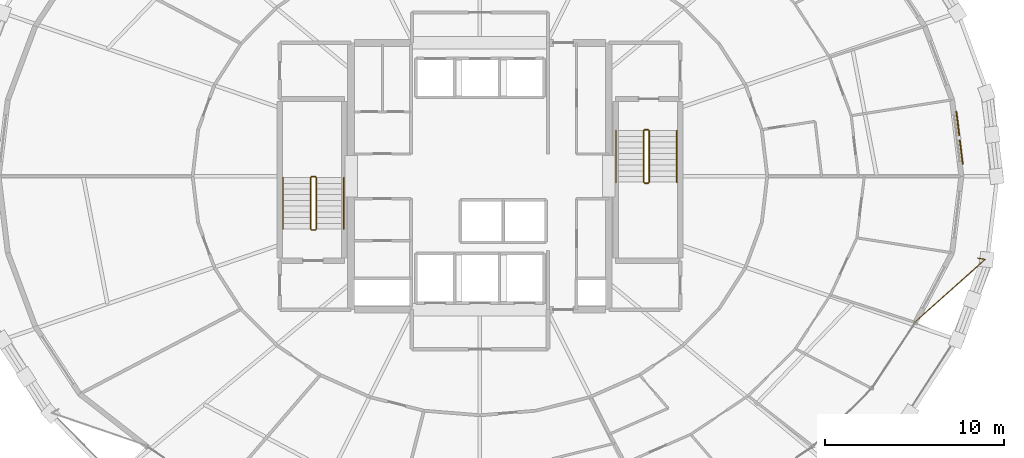
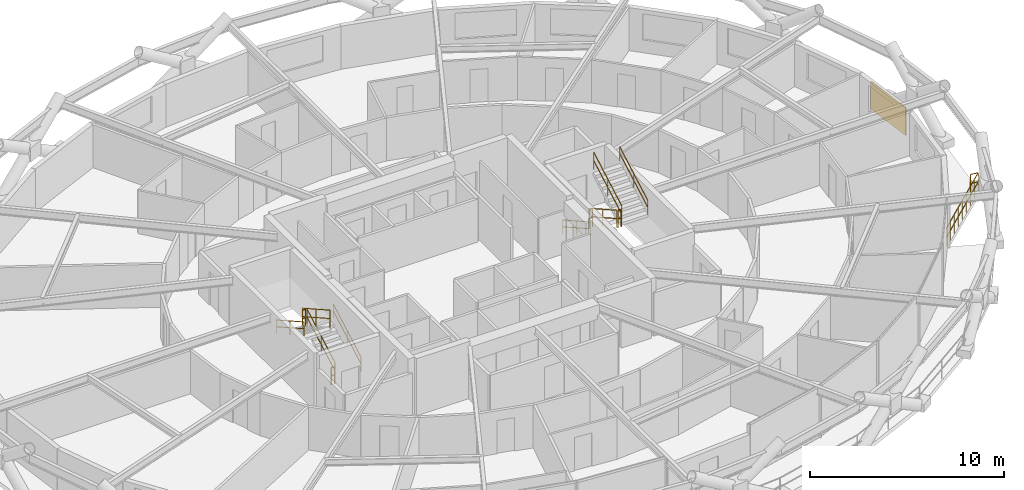
# One storey, part 21 of 21: 13 railings, 1 shading device.
"""IFC4 building model written with IfcOpenShell, lengths in metres."""

from ifc_helpers import new_model, si_unit, direction, frame, origin, origin_2d, place, context, subcontext, project, spatial, rectangle, circle, extrude, material, layer, layer_set, type_object, element, save


model = new_model("IFC4")

# Units and contexts
model_context = context("Model", 3, precision=1e-05, world=origin(), true_north=direction((0.0, 1.0)))
body_context = subcontext(model_context, "Body", "Model", "MODEL_VIEW")
ifc_project = project(units=[si_unit("LENGTHUNIT", "METRE"), si_unit("AREAUNIT", "SQUARE_METRE"), si_unit("VOLUMEUNIT", "CUBIC_METRE"), si_unit("PLANEANGLEUNIT", "RADIAN"), si_unit("MASSUNIT", "GRAM", prefix="KILO")], contexts=[model_context])

# Site, building, storey
site_placement = place(None, origin())
site = spatial("IfcSite", under=ifc_project, at=site_placement, CompositionType="ELEMENT")
building_placement = place(site_placement, origin())
building = spatial("IfcBuilding", under=site, at=building_placement, Name="Veldorina Hangang Commons", CompositionType="ELEMENT")
storey_placement = place(building_placement, frame((0.0, 0.0, 66.39990234375)))
storey = spatial("IfcBuildingStorey", under=building, at=storey_placement, Name="L16", CompositionType="ELEMENT", Elevation=66.39990234375)

# Railings
ifc_material_1 = material(Name="Glass Laminated Safety Balustrade", Category="glass")
railing_type_1 = type_object("IfcRailingType", Name="RL-BAL-LOGGIA", PredefinedType="BALUSTRADE", material=ifc_material_1)
railing_1_placement = place(storey_placement, frame((59.8037109375, 19.427978515625, 0.0)))
element("IfcRailing", 1, at=railing_1_placement, inside=storey, type_object=railing_type_1, Name="L16 sky-garden loggia end balustrade B", PredefinedType="BALUSTRADE", context=body_context, shape_type="SweptSolid", body=[
    extrude(circle(Radius=0.02392578125, at=origin_2d()), frame((0.0, 0.0, 1.17578125), z_axis=(0.986768283702, -0.162136838135, 0.0), x_axis=(0.162136838135, 0.986768283702, 0.0)), (0.0, 0.0, 1.0), 0.420166015625),
    extrude(circle(Radius=0.02392578125, at=origin_2d()), frame((0.0, 0.0, 0.60009765625), z_axis=(0.986768283702, -0.162136838135, 0.0), x_axis=(0.162136838135, 0.986768283702, 0.0)), (0.0, 0.0, 1.0), 0.420166015625),
    extrude(circle(Radius=0.02392578125, at=origin_2d()), frame((0.41455078125, -0.068115234375, 1.17578125), z_axis=(-0.745724677107, -0.666254235223, 0.0), x_axis=(0.666254235223, -0.745724677107, 0.0)), (0.0, 0.0, 1.0), 5.2685546875),
    extrude(circle(Radius=0.02392578125, at=origin_2d()), frame((0.41455078125, -0.068115234375, 0.60009765625), z_axis=(-0.745724677107, -0.666254235223, 0.0), x_axis=(0.666254235223, -0.745724677107, 0.0)), (0.0, 0.0, 1.0), 5.2685546875),
    extrude(circle(Radius=0.02099609375, at=origin_2d()), origin(), (0.0, 0.0, 1.0), 1.15185546875),
    extrude(circle(Radius=0.02099609375, at=origin_2d()), frame((0.41455078125, -0.068115234375, 0.0)), (0.0, 0.0, 1.0), 1.15185546875),
    extrude(circle(Radius=0.02099609375, at=origin_2d()), frame((-0.07666015625, -0.5068359375, 0.0)), (0.0, 0.0, 1.0), 1.15185546875),
    extrude(circle(Radius=0.02099609375, at=origin_2d()), frame((-0.567626953125, -0.94580078125, 0.0)), (0.0, 0.0, 1.0), 1.15185546875),
    extrude(circle(Radius=0.02099609375, at=origin_2d()), frame((-1.058837890625, -1.384521484375, 0.0)), (0.0, 0.0, 1.0), 1.15185546875),
    extrude(circle(Radius=0.02099609375, at=origin_2d()), frame((-1.5498046875, -1.8232421875, 0.0)), (0.0, 0.0, 1.0), 1.15185546875),
    extrude(circle(Radius=0.02099609375, at=origin_2d()), frame((-2.041015625, -2.261962890625, 0.0)), (0.0, 0.0, 1.0), 1.15185546875),
    extrude(circle(Radius=0.02099609375, at=origin_2d()), frame((-2.5322265625, -2.70068359375, 0.0)), (0.0, 0.0, 1.0), 1.15185546875),
    extrude(circle(Radius=0.02099609375, at=origin_2d()), frame((-3.023193359375, -3.1396484375, 0.0)), (0.0, 0.0, 1.0), 1.15185546875),
    extrude(circle(Radius=0.02099609375, at=origin_2d()), frame((-3.514404296875, -3.578369140625, 0.0)), (0.0, 0.0, 1.0), 1.15185546875),
])
ifc_material_2 = material(Name="Steel Painted Balustrade", Category="steel")
railing_type_2 = type_object("IfcRailingType", Name="RL-GRD-STAIR", PredefinedType="GUARDRAIL", material=ifc_material_2)
railing_2_placement = place(storey_placement, frame((22.85009765625, 21.050048828125, 0.18017578125)))
element("IfcRailing", 2, at=railing_2_placement, inside=storey, type_object=railing_type_2, Name="L16 ST-1 stair guard 1", PredefinedType="GUARDRAIL", context=body_context, shape_type="SweptSolid", body=[
    extrude(circle(Radius=0.02392578125, at=origin_2d()), frame((0.0, 0.0, 1.076171875), z_axis=(0.0, 0.871583430097, 0.490247207417), x_axis=(-1.0, 0.0, 0.0)), (0.0, 0.0, 1.0), 3.30419921875),
    extrude(circle(Radius=0.02392578125, at=origin_2d()), frame((0.0, 0.0, 0.550048828125), z_axis=(0.0, 0.871583430097, 0.490247207417), x_axis=(-1.0, 0.0, 0.0)), (0.0, 0.0, 1.0), 3.30419921875),
    extrude(circle(Radius=0.02099609375, at=origin_2d()), origin(), (0.0, 0.0, 1.0), 1.052001953125),
    extrude(circle(Radius=0.02099609375, at=origin_2d()), frame((0.0, 1.43994140625, 0.81005859375)), (0.0, 0.0, 1.0), 1.052001953125),
    extrude(circle(Radius=0.02099609375, at=origin_2d()), frame((0.0, 2.8798828125, 1.619873046875)), (0.0, 0.0, 1.0), 1.052001953125),
])
railing_3_placement = place(storey_placement, frame((22.800048828125, 23.97998046875, 1.800048828125)))
element("IfcRailing", 3, at=railing_3_placement, inside=storey, type_object=railing_type_2, Name="L16 ST-1 stair guard 2", PredefinedType="GUARDRAIL", context=body_context, shape_type="SweptSolid", body=[
    extrude(circle(Radius=0.02392578125, at=origin_2d()), frame((0.0, 0.0, 1.076171875), z_axis=(-1.0, 0.0, 0.0), x_axis=(0.0, -1.0, 0.0)), (0.0, 0.0, 1.0), 0.199951171875),
    extrude(circle(Radius=0.02392578125, at=origin_2d()), frame((0.0, 0.0, 0.550048828125), z_axis=(-1.0, 0.0, 0.0), x_axis=(0.0, -1.0, 0.0)), (0.0, 0.0, 1.0), 0.199951171875),
    extrude(circle(Radius=0.02099609375, at=origin_2d()), origin(), (0.0, 0.0, 1.0), 1.052001953125),
    extrude(circle(Radius=0.02099609375, at=origin_2d()), frame((-0.199951171875, 0.0, 0.0)), (0.0, 0.0, 1.0), 1.052001953125),
])
railing_4_placement = place(storey_placement, frame((22.550048828125, 23.929931640625, 1.97998046875)))
element("IfcRailing", 4, at=railing_4_placement, inside=storey, type_object=railing_type_2, Name="L16 ST-1 stair guard 3", PredefinedType="GUARDRAIL", context=body_context, shape_type="SweptSolid", body=[
    extrude(circle(Radius=0.02392578125, at=origin_2d()), frame((0.0, 0.0, 1.076171875), z_axis=(0.0, -0.87155185771, 0.490303333991), x_axis=(1.0, 0.0, 0.0)), (0.0, 0.0, 1.0), 3.30419921875),
    extrude(circle(Radius=0.02392578125, at=origin_2d()), frame((0.0, 0.0, 0.550048828125), z_axis=(0.0, -0.87155185771, 0.490303333991), x_axis=(1.0, 0.0, 0.0)), (0.0, 0.0, 1.0), 3.30419921875),
    extrude(circle(Radius=0.02099609375, at=origin_2d()), origin(), (0.0, 0.0, 1.0), 1.052001953125),
    extrude(circle(Radius=0.02099609375, at=origin_2d()), frame((0.0, -1.43994140625, 0.81005859375)), (0.0, 0.0, 1.0), 1.052001953125),
    extrude(circle(Radius=0.02099609375, at=origin_2d()), frame((0.0, -2.8798828125, 1.6201171875)), (0.0, 0.0, 1.0), 1.052001953125),
])
railing_5_placement = place(storey_placement, frame((22.800048828125, 21.0, 0.0)))
element("IfcRailing", 5, at=railing_5_placement, inside=storey, type_object=railing_type_2, Name="L16 ST-1 stair guard 4", PredefinedType="GUARDRAIL", context=body_context, shape_type="SweptSolid", body=[
    extrude(circle(Radius=0.02392578125, at=origin_2d()), frame((0.0, 0.0, 1.076171875), z_axis=(-1.0, 0.0, 0.0), x_axis=(0.0, -1.0, 0.0)), (0.0, 0.0, 1.0), 0.199951171875),
    extrude(circle(Radius=0.02392578125, at=origin_2d()), frame((0.0, 0.0, 0.550048828125), z_axis=(-1.0, 0.0, 0.0), x_axis=(0.0, -1.0, 0.0)), (0.0, 0.0, 1.0), 0.199951171875),
    extrude(circle(Radius=0.02099609375, at=origin_2d()), origin(), (0.0, 0.0, 1.0), 1.052001953125),
    extrude(circle(Radius=0.02099609375, at=origin_2d()), frame((-0.199951171875, 0.0, 0.0)), (0.0, 0.0, 1.0), 1.052001953125),
])
railing_6_placement = place(storey_placement, frame((41.14990234375, 26.550048828125, 0.18017578125)))
element("IfcRailing", 6, at=railing_6_placement, inside=storey, type_object=railing_type_2, Name="L16 ST-2 stair guard 1", PredefinedType="GUARDRAIL", context=body_context, shape_type="SweptSolid", body=[
    extrude(circle(Radius=0.02392578125, at=origin_2d()), frame((0.0, 0.0, 1.076171875), z_axis=(0.0, -0.871601186807, 0.490215637405), x_axis=(1.0, 0.0, 0.0)), (0.0, 0.0, 1.0), 3.304443359375),
    extrude(circle(Radius=0.02392578125, at=origin_2d()), frame((0.0, 0.0, 0.550048828125), z_axis=(0.0, -0.871601186807, 0.490215637405), x_axis=(1.0, 0.0, 0.0)), (0.0, 0.0, 1.0), 3.304443359375),
    extrude(circle(Radius=0.02099609375, at=origin_2d()), origin(), (0.0, 0.0, 1.0), 1.052001953125),
    extrude(circle(Radius=0.02099609375, at=origin_2d()), frame((0.0, -1.43994140625, 0.81005859375)), (0.0, 0.0, 1.0), 1.052001953125),
    extrude(circle(Radius=0.02099609375, at=origin_2d()), frame((0.0, -2.880126953125, 1.619873046875)), (0.0, 0.0, 1.0), 1.052001953125),
])
railing_7_placement = place(storey_placement, frame((41.199951171875, 23.6201171875, 1.800048828125)))
element("IfcRailing", 7, at=railing_7_placement, inside=storey, type_object=railing_type_2, Name="L16 ST-2 stair guard 2", PredefinedType="GUARDRAIL", context=body_context, shape_type="SweptSolid", body=[
    extrude(circle(Radius=0.02392578125, at=origin_2d()), frame((0.0, 0.0, 1.076171875), z_axis=(1.0, 0.0, 0.0), x_axis=(0.0, 1.0, 0.0)), (0.0, 0.0, 1.0), 0.199951171875),
    extrude(circle(Radius=0.02392578125, at=origin_2d()), frame((0.0, 0.0, 0.550048828125), z_axis=(1.0, 0.0, 0.0), x_axis=(0.0, 1.0, 0.0)), (0.0, 0.0, 1.0), 0.199951171875),
    extrude(circle(Radius=0.02099609375, at=origin_2d()), origin(), (0.0, 0.0, 1.0), 1.052001953125),
    extrude(circle(Radius=0.02099609375, at=origin_2d()), frame((0.199951171875, 0.0, 0.0)), (0.0, 0.0, 1.0), 1.052001953125),
])
railing_8_placement = place(storey_placement, frame((41.449951171875, 23.669921875, 1.97998046875)))
element("IfcRailing", 8, at=railing_8_placement, inside=storey, type_object=railing_type_2, Name="L16 ST-2 stair guard 3", PredefinedType="GUARDRAIL", context=body_context, shape_type="SweptSolid", body=[
    extrude(circle(Radius=0.02392578125, at=origin_2d()), frame((0.0, 0.0, 1.076171875), z_axis=(0.0, 0.871569617843, 0.490271762652), x_axis=(-1.0, 0.0, 0.0)), (0.0, 0.0, 1.0), 3.304443359375),
    extrude(circle(Radius=0.02392578125, at=origin_2d()), frame((0.0, 0.0, 0.550048828125), z_axis=(0.0, 0.871569617843, 0.490271762652), x_axis=(-1.0, 0.0, 0.0)), (0.0, 0.0, 1.0), 3.304443359375),
    extrude(circle(Radius=0.02099609375, at=origin_2d()), origin(), (0.0, 0.0, 1.0), 1.052001953125),
    extrude(circle(Radius=0.02099609375, at=origin_2d()), frame((0.0, 1.43994140625, 0.81005859375)), (0.0, 0.0, 1.0), 1.052001953125),
    extrude(circle(Radius=0.02099609375, at=origin_2d()), frame((0.0, 2.880126953125, 1.6201171875)), (0.0, 0.0, 1.0), 1.052001953125),
])
railing_9_placement = place(storey_placement, frame((41.199951171875, 26.60009765625, 0.0)))
element("IfcRailing", 9, at=railing_9_placement, inside=storey, type_object=railing_type_2, Name="L16 ST-2 stair guard 4", PredefinedType="GUARDRAIL", context=body_context, shape_type="SweptSolid", body=[
    extrude(circle(Radius=0.02392578125, at=origin_2d()), frame((0.0, 0.0, 1.076171875), z_axis=(1.0, 0.0, 0.0), x_axis=(0.0, 1.0, 0.0)), (0.0, 0.0, 1.0), 0.199951171875),
    extrude(circle(Radius=0.02392578125, at=origin_2d()), frame((0.0, 0.0, 0.550048828125), z_axis=(1.0, 0.0, 0.0), x_axis=(0.0, 1.0, 0.0)), (0.0, 0.0, 1.0), 0.199951171875),
    extrude(circle(Radius=0.02099609375, at=origin_2d()), origin(), (0.0, 0.0, 1.0), 1.052001953125),
    extrude(circle(Radius=0.02099609375, at=origin_2d()), frame((0.199951171875, 0.0, 0.0)), (0.0, 0.0, 1.0), 1.052001953125),
])
ifc_material_3 = material(Name="Stainless Steel Brushed 316", Category="steel")
railing_type_3 = type_object("IfcRailingType", Name="RL-HND-STAIR", PredefinedType="HANDRAIL", material=ifc_material_3)
railing_10_placement = place(storey_placement, frame((24.39990234375, 21.050048828125, 0.18017578125)))
element("IfcRailing", 10, at=railing_10_placement, inside=storey, type_object=railing_type_3, Name="L16 ST-1 stair handrail 1", PredefinedType="HANDRAIL", context=body_context, shape_type="SweptSolid", body=[
    extrude(circle(Radius=0.02392578125, at=origin_2d()), frame((0.0, 0.0, 0.8759765625), z_axis=(0.0, 0.871583430097, 0.490247207417), x_axis=(-1.0, 0.0, 0.0)), (0.0, 0.0, 1.0), 3.30419921875),
    extrude(circle(Radius=0.02392578125, at=origin_2d()), frame((0.0, 0.0, 0.449951171875), z_axis=(0.0, 0.871583430097, 0.490247207417), x_axis=(-1.0, 0.0, 0.0)), (0.0, 0.0, 1.0), 3.30419921875),
    extrude(circle(Radius=0.02099609375, at=origin_2d()), origin(), (0.0, 0.0, 1.0), 0.851806640625),
    extrude(circle(Radius=0.02099609375, at=origin_2d()), frame((0.0, 1.43994140625, 0.81005859375)), (0.0, 0.0, 1.0), 0.851806640625),
    extrude(circle(Radius=0.02099609375, at=origin_2d()), frame((0.0, 2.8798828125, 1.619873046875)), (0.0, 0.0, 1.0), 0.851806640625),
])
railing_11_placement = place(storey_placement, frame((21.0, 23.929931640625, 1.97998046875)))
element("IfcRailing", 11, at=railing_11_placement, inside=storey, type_object=railing_type_3, Name="L16 ST-1 stair handrail 2", PredefinedType="HANDRAIL", context=body_context, shape_type="SweptSolid", body=[
    extrude(circle(Radius=0.02392578125, at=origin_2d()), frame((0.0, 0.0, 0.8759765625), z_axis=(0.0, -0.87155185771, 0.490303333991), x_axis=(1.0, 0.0, 0.0)), (0.0, 0.0, 1.0), 3.30419921875),
    extrude(circle(Radius=0.02392578125, at=origin_2d()), frame((0.0, 0.0, 0.449951171875), z_axis=(0.0, -0.87155185771, 0.490303333991), x_axis=(1.0, 0.0, 0.0)), (0.0, 0.0, 1.0), 3.30419921875),
    extrude(circle(Radius=0.02099609375, at=origin_2d()), origin(), (0.0, 0.0, 1.0), 0.851806640625),
    extrude(circle(Radius=0.02099609375, at=origin_2d()), frame((0.0, -1.43994140625, 0.81005859375)), (0.0, 0.0, 1.0), 0.851806640625),
    extrude(circle(Radius=0.02099609375, at=origin_2d()), frame((0.0, -2.8798828125, 1.6201171875)), (0.0, 0.0, 1.0), 0.851806640625),
])
railing_12_placement = place(storey_placement, frame((39.60009765625, 26.550048828125, 0.18017578125)))
element("IfcRailing", 12, at=railing_12_placement, inside=storey, type_object=railing_type_3, Name="L16 ST-2 stair handrail 1", PredefinedType="HANDRAIL", context=body_context, shape_type="SweptSolid", body=[
    extrude(circle(Radius=0.02392578125, at=origin_2d()), frame((0.0, 0.0, 0.8759765625), z_axis=(0.0, -0.871601186807, 0.490215637405), x_axis=(1.0, 0.0, 0.0)), (0.0, 0.0, 1.0), 3.304443359375),
    extrude(circle(Radius=0.02392578125, at=origin_2d()), frame((0.0, 0.0, 0.449951171875), z_axis=(0.0, -0.871601186807, 0.490215637405), x_axis=(1.0, 0.0, 0.0)), (0.0, 0.0, 1.0), 3.304443359375),
    extrude(circle(Radius=0.02099609375, at=origin_2d()), origin(), (0.0, 0.0, 1.0), 0.851806640625),
    extrude(circle(Radius=0.02099609375, at=origin_2d()), frame((0.0, -1.43994140625, 0.81005859375)), (0.0, 0.0, 1.0), 0.851806640625),
    extrude(circle(Radius=0.02099609375, at=origin_2d()), frame((0.0, -2.880126953125, 1.619873046875)), (0.0, 0.0, 1.0), 0.851806640625),
])
railing_13_placement = place(storey_placement, frame((43.0, 23.669921875, 1.97998046875)))
element("IfcRailing", 13, at=railing_13_placement, inside=storey, type_object=railing_type_3, Name="L16 ST-2 stair handrail 2", PredefinedType="HANDRAIL", context=body_context, shape_type="SweptSolid", body=[
    extrude(circle(Radius=0.02392578125, at=origin_2d()), frame((0.0, 0.0, 0.8759765625), z_axis=(0.0, 0.871569617843, 0.490271762652), x_axis=(-1.0, 0.0, 0.0)), (0.0, 0.0, 1.0), 3.304443359375),
    extrude(circle(Radius=0.02392578125, at=origin_2d()), frame((0.0, 0.0, 0.449951171875), z_axis=(0.0, 0.871569617843, 0.490271762652), x_axis=(-1.0, 0.0, 0.0)), (0.0, 0.0, 1.0), 3.304443359375),
    extrude(circle(Radius=0.02099609375, at=origin_2d()), origin(), (0.0, 0.0, 1.0), 0.851806640625),
    extrude(circle(Radius=0.02099609375, at=origin_2d()), frame((0.0, 1.43994140625, 0.81005859375)), (0.0, 0.0, 1.0), 0.851806640625),
    extrude(circle(Radius=0.02099609375, at=origin_2d()), frame((0.0, 2.880126953125, 1.6201171875)), (0.0, 0.0, 1.0), 0.851806640625),
])

# Shading device
ifc_material_4 = material(Name="Ceramic Glazed Terracotta", Category="masonry")
ifc_layer = layer(ifc_material_4, 0.06005859375)
ifc_layer_set = layer_set([ifc_layer], Name="Ceramic Glazed Terracotta")
shading_device_type = type_object("IfcShadingDeviceType", Name="SCR-CER-3000", PredefinedType="USERDEFINED", material=ifc_layer_set)
shading_device_placement = place(storey_placement, frame((58.7919921875, 26.154541015625, 0.75), z_axis=(0.0, 0.0, 1.0), x_axis=(-0.120102184993, 0.992761534891, 0.0)))
element("IfcShadingDevice", 14, at=shading_device_placement, inside=storey, type_object=shading_device_type, Name="L16 PERFORATED CERAMIC SOLAR SCREEN 00", ObjectType="SCREEN", PredefinedType="USERDEFINED", context=body_context, shape_type="SweptSolid", body=[
    extrude(rectangle(XDim=3.0, YDim=0.06005859375, at=origin_2d()), origin(), (0.0, 0.0, 1.0), 1.75),
])

save(model, "model.ifc")
